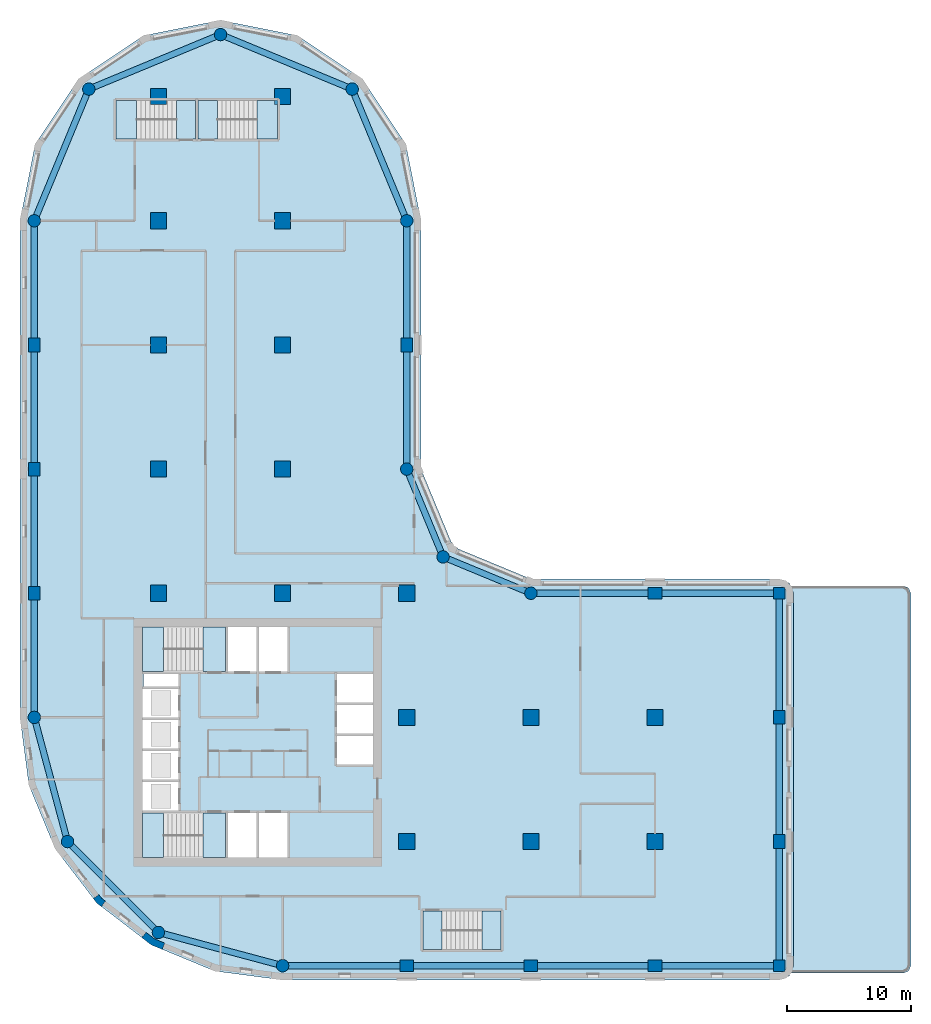
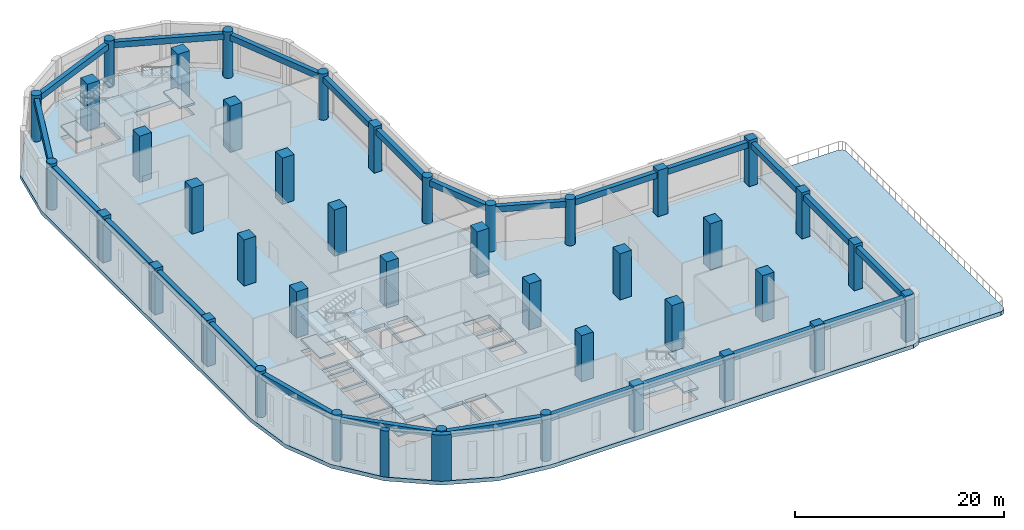
# One storey, part 1 of 9: 41 columns, 24 beams, 17 slabs, 2 walls, 5 elements without a shape of their own.
"""IFC4 building model written with IfcOpenShell, lengths in metres."""

from ifc_helpers import new_model, si_unit, direction, frame, origin, origin_2d, place, context, subcontext, project, spatial, polyline, rectangle, circle, outline, extrude, material, layer, layer_set, material_profile, profile_set, type_object, element, aggregate, save


model = new_model("IFC4")

# Units and contexts
model_context = context("Model", 3, precision=1e-05, world=origin(), true_north=direction((0.0, 1.0)))
body_context = subcontext(model_context, "Body", "Model", "MODEL_VIEW")
ifc_project = project(units=[si_unit("LENGTHUNIT", "METRE"), si_unit("AREAUNIT", "SQUARE_METRE"), si_unit("VOLUMEUNIT", "CUBIC_METRE"), si_unit("PLANEANGLEUNIT", "RADIAN"), si_unit("MASSUNIT", "GRAM", prefix="KILO")], contexts=[model_context])

# Site, building, storey
site_placement = place(None, origin())
site = spatial("IfcSite", under=ifc_project, at=site_placement, CompositionType="ELEMENT")
building_placement = place(site_placement, origin())
building = spatial("IfcBuilding", under=site, at=building_placement, Name="Qaws Garden Tower", CompositionType="ELEMENT")
storey_placement = place(building_placement, frame((0.0, 0.0, 126.300048828125)))
storey = spatial("IfcBuildingStorey", under=building, at=storey_placement, Name="L30", CompositionType="ELEMENT", Elevation=126.300048828125)

# Columns
ifc_material_1 = material(Name="Concrete C70", Category="concrete")
ifc_material_profile_1 = material_profile(ifc_material_1, rectangle(XDim=1.10009765625, YDim=0.89990234375, at=origin_2d()), Name="RC 1100x900")
ifc_profile_set_1 = profile_set([ifc_material_profile_1], Name="Concrete C70")
column_type_1 = type_object("IfcColumnType", Name="Column RC 1100x900 C70", PredefinedType="COLUMN", material=ifc_profile_set_1)
for number, where, z_axis, x_axis, name in (
    (1, (30.0, 0.0, 0.0), (0.0, 0.0, 1.0), (1.0, 0.0, 0.0), "Column L30-002"),
    (2, (40.0, 0.0, 0.0), (0.0, 0.0, 1.0), (1.0, 0.0, 0.0), "Column L30-003"),
    (3, (50.0, 0.0, 0.0), (0.0, 0.0, 1.0), (1.0, 0.0, 0.0), "Column L30-004"),
    (4, (60.0, 10.0, 0.0), (0.0, 0.0, 1.0), (0.0, 1.0, 0.0), "Column L30-006"),
    (5, (60.0, 20.0, 0.0), (0.0, 0.0, 1.0), (0.0, 1.0, 0.0), "Column L30-007"),
    (6, (50.0, 30.0, 0.0), (0.0, 0.0, 1.0), (1.0, 0.0, 0.0), "Column L30-009"),
    (7, (30.0, 50.0, 0.0), (0.0, 0.0, 1.0), (0.0, 1.0, 0.0), "Column L30-013"),
    (8, (0.0, 50.0, 0.0), (0.0, 0.0, 1.0), (0.0, 1.0, 0.0), "Column L30-019"),
    (9, (0.0, 40.0, 0.0), (0.0, 0.0, 1.0), (0.0, 1.0, 0.0), "Column L30-020"),
    (10, (0.0, 30.0, 0.0), (0.0, 0.0, 1.0), (0.0, 1.0, 0.0), "Column L30-021"),
):
    element("IfcColumn", number, at=place(storey_placement, frame(where, z_axis=z_axis, x_axis=x_axis)), inside=storey, type_object=column_type_1, Name=name, PredefinedType="COLUMN", context=body_context, shape_type="SweptSolid", body=[
        extrude(rectangle(XDim=1.10009765625, YDim=0.89990234375, at=origin_2d()), origin(), (0.0, 0.0, 1.0), 5.39990234375),
    ])
ifc_material_2 = material(Name="Concrete C70", Category="concrete")
ifc_material_profile_2 = material_profile(ifc_material_2, rectangle(XDim=1.300048828125, YDim=1.300048828125, at=origin_2d()), Name="RC 1300x1300")
ifc_profile_set_2 = profile_set([ifc_material_profile_2], Name="Concrete C70")
column_type_2 = type_object("IfcColumnType", Name="Column RC 1300x1300 C70", PredefinedType="COLUMN", material=ifc_profile_set_2)
for number, where, z_axis, x_axis, name in (
    (11, (10.0, 30.0, 0.0), (0.0, 0.0, 1.0), (1.0, 0.0, 0.0), "Column L30-025"),
    (12, (10.0, 40.0, 0.0), (0.0, 0.0, 1.0), (1.0, 0.0, 0.0), "Column L30-026"),
    (13, (10.0, 50.0, 0.0), (0.0, 0.0, 1.0), (1.0, 0.0, 0.0), "Column L30-027"),
    (14, (10.0, 60.0, 0.0), (0.0, 0.0, 1.0), (1.0, 0.0, 0.0), "Column L30-028"),
    (15, (10.0, 70.0, 0.0), (0.0, 0.0, 1.0), (1.0, 0.0, 0.0), "Column L30-029"),
    (16, (20.0, 30.0, 0.0), (0.0, 0.0, 1.0), (1.0, 0.0, 0.0), "Column L30-030"),
    (17, (20.0, 40.0, 0.0), (0.0, 0.0, 1.0), (1.0, 0.0, 0.0), "Column L30-031"),
    (18, (20.0, 50.0, 0.0), (0.0, 0.0, 1.0), (1.0, 0.0, 0.0), "Column L30-032"),
    (19, (20.0, 60.0, 0.0), (0.0, 0.0, 1.0), (1.0, 0.0, 0.0), "Column L30-033"),
    (20, (20.0, 70.0, 0.0), (0.0, 0.0, 1.0), (1.0, 0.0, 0.0), "Column L30-034"),
    (21, (30.0, 10.0, 0.0), (0.0, 0.0, 1.0), (1.0, 0.0, 0.0), "Column L30-035"),
    (22, (30.0, 20.0, 0.0), (0.0, 0.0, 1.0), (1.0, 0.0, 0.0), "Column L30-036"),
    (23, (30.0, 30.0, 0.0), (0.0, 0.0, 1.0), (1.0, 0.0, 0.0), "Column L30-037"),
    (24, (40.0, 10.0, 0.0), (0.0, 0.0, 1.0), (1.0, 0.0, 0.0), "Column L30-038"),
    (25, (40.0, 20.0, 0.0), (0.0, 0.0, 1.0), (1.0, 0.0, 0.0), "Column L30-039"),
    (26, (50.0, 10.0, 0.0), (0.0, 0.0, 1.0), (1.0, 0.0, 0.0), "Column L30-040"),
    (27, (50.0, 20.0, 0.0), (0.0, 0.0, 1.0), (1.0, 0.0, 0.0), "Column L30-041"),
):
    element("IfcColumn", number, at=place(storey_placement, frame(where, z_axis=z_axis, x_axis=x_axis)), inside=storey, type_object=column_type_2, Name=name, PredefinedType="COLUMN", context=body_context, shape_type="SweptSolid", body=[
        extrude(rectangle(XDim=1.300048828125, YDim=1.300048828125, at=origin_2d()), origin(), (0.0, 0.0, 1.0), 5.39990234375),
    ])
ifc_material_3 = material(Name="Concrete C70", Category="concrete")
ifc_material_profile_3 = material_profile(ifc_material_3, rectangle(XDim=0.949951171875, YDim=0.949951171875, at=origin_2d()), Name="RC 950x950")
ifc_profile_set_3 = profile_set([ifc_material_profile_3], Name="Concrete C70")
column_type_3 = type_object("IfcColumnType", Name="Column RC 950x950 C70", PredefinedType="COLUMN", material=ifc_profile_set_3)
for number, where, z_axis, x_axis, name in (
    (28, (60.0, 0.0, 0.0), (0.0, 0.0, 1.0), (1.0, 0.0, 0.0), "Column L30-005"),
    (29, (60.0, 30.0, 0.0), (0.0, 0.0, 1.0), (1.0, 0.0, 0.0), "Column L30-008"),
):
    element("IfcColumn", number, at=place(storey_placement, frame(where, z_axis=z_axis, x_axis=x_axis)), inside=storey, type_object=column_type_3, Name=name, PredefinedType="COLUMN", context=body_context, shape_type="SweptSolid", body=[
        extrude(rectangle(XDim=0.949951171875, YDim=0.949951171875, at=origin_2d()), origin(), (0.0, 0.0, 1.0), 5.39990234375),
    ])
ifc_material_4 = material(Name="Concrete C70", Category="concrete")
ifc_material_profile_4 = material_profile(ifc_material_4, circle(Radius=0.5, at=origin_2d()), Name="RC D1000")
ifc_profile_set_4 = profile_set([ifc_material_profile_4], Name="Concrete C70")
column_type_4 = type_object("IfcColumnType", Name="Column RC D1000 C70", PredefinedType="COLUMN", material=ifc_profile_set_4)
for number, where, z_axis, x_axis, name in (
    (30, (20.0, 0.0, 0.0), (0.0, 0.0, 1.0), (1.0, 0.0, 0.0), "Column L30-001"),
    (31, (40.0, 30.0, 0.0), (0.0, 0.0, 1.0), (1.0, 0.0, 0.0), "Column L30-010"),
    (32, (32.928955078125, 32.928955078125, 0.0), (0.0, 0.0, 1.0), (1.0, 0.0, 0.0), "Column L30-011"),
    (33, (30.0, 40.0, 0.0), (0.0, 0.0, 1.0), (1.0, 0.0, 0.0), "Column L30-012"),
    (34, (30.0, 60.0, 0.0), (0.0, 0.0, 1.0), (1.0, 0.0, 0.0), "Column L30-014"),
    (35, (25.606689453125, 70.606689453125, 0.0), (0.0, 0.0, 1.0), (1.0, 0.0, 0.0), "Column L30-015"),
    (36, (15.0, 75.0, 0.0), (0.0, 0.0, 1.0), (1.0, 0.0, 0.0), "Column L30-016"),
    (37, (4.393310546875, 70.606689453125, 0.0), (0.0, 0.0, 1.0), (1.0, 0.0, 0.0), "Column L30-017"),
    (38, (0.0, 60.0, 0.0), (0.0, 0.0, 1.0), (1.0, 0.0, 0.0), "Column L30-018"),
    (39, (0.0, 20.0, 0.0), (0.0, 0.0, 1.0), (1.0, 0.0, 0.0), "Column L30-022"),
    (40, (2.679443359375, 10.0, 0.0), (0.0, 0.0, 1.0), (1.0, 0.0, 0.0), "Column L30-023"),
    (41, (10.0, 2.679443359375, 0.0), (0.0, 0.0, 1.0), (1.0, 0.0, 0.0), "Column L30-024"),
):
    element("IfcColumn", number, at=place(storey_placement, frame(where, z_axis=z_axis, x_axis=x_axis)), inside=storey, type_object=column_type_4, Name=name, PredefinedType="COLUMN", context=body_context, shape_type="SweptSolid", body=[
        extrude(circle(Radius=0.5, at=origin_2d()), origin(), (0.0, 0.0, 1.0), 5.39990234375),
    ])

# Beams
ifc_material_5 = material(Name="Concrete C45", Category="concrete")
ifc_material_profile_5 = material_profile(ifc_material_5, rectangle(XDim=0.5, YDim=0.699951171875, at=origin_2d()), Name="RC 500x700")
ifc_profile_set_5 = profile_set([ifc_material_profile_5], Name="Concrete C45")
beam_type = type_object("IfcBeamType", Name="Spandrel beam RC 500x700 C45", PredefinedType="SPANDREL", material=ifc_profile_set_5)
for number, where, z_axis, x_axis, name in (
    (42, (20.0, 0.0, 4.72998046875), (1.0, 0.0, 0.0), (0.0, 1.0, 0.0), "Spandrel beam L30-001"),
    (43, (30.0, 0.0, 4.72998046875), (1.0, 0.0, 0.0), (0.0, 1.0, 0.0), "Spandrel beam L30-002"),
    (44, (40.0, 0.0, 4.72998046875), (1.0, 0.0, 0.0), (0.0, 1.0, 0.0), "Spandrel beam L30-003"),
    (45, (50.0, 0.0, 4.72998046875), (1.0, 0.0, 0.0), (0.0, 1.0, 0.0), "Spandrel beam L30-004"),
    (46, (60.0, 0.0, 4.72998046875), (0.0, 1.0, 0.0), (-1.0, 0.0, 0.0), "Spandrel beam L30-005"),
    (47, (60.0, 10.0, 4.72998046875), (0.0, 1.0, 0.0), (-1.0, 0.0, 0.0), "Spandrel beam L30-006"),
    (48, (60.0, 20.0, 4.72998046875), (0.0, 1.0, 0.0), (-1.0, 0.0, 0.0), "Spandrel beam L30-007"),
    (49, (60.0, 30.0, 4.72998046875), (-1.0, 0.0, 0.0), (0.0, -1.0, 0.0), "Spandrel beam L30-008"),
    (50, (50.0, 30.0, 4.72998046875), (-1.0, 0.0, 0.0), (0.0, -1.0, 0.0), "Spandrel beam L30-009"),
):
    element("IfcBeam", number, at=place(storey_placement, frame(where, z_axis=z_axis, x_axis=x_axis)), inside=storey, type_object=beam_type, Name=name, PredefinedType="SPANDREL", context=body_context, shape_type="SweptSolid", body=[
        extrude(rectangle(XDim=0.5, YDim=0.699951171875, at=origin_2d()), origin(), (0.0, 0.0, 1.0), 10.0),
    ])
for number, where, z_axis, x_axis, name in (
    (51, (40.0, 30.0, 4.72998046875), (-0.923878037141, 0.382687042488, 0.0), (-0.382687042488, -0.923878037141, 0.0), "Spandrel beam L30-010"),
    (52, (32.928955078125, 32.928955078125, 4.72998046875), (-0.382687042488, 0.923878037141, 0.0), (-0.923878037141, -0.382687042488, 0.0), "Spandrel beam L30-011"),
):
    element("IfcBeam", number, at=place(storey_placement, frame(where, z_axis=z_axis, x_axis=x_axis)), inside=storey, type_object=beam_type, Name=name, PredefinedType="SPANDREL", context=body_context, shape_type="SweptSolid", body=[
        extrude(rectangle(XDim=0.5, YDim=0.699951171875, at=origin_2d()), origin(), (0.0, 0.0, 1.0), 7.653564453125),
    ])
for number, where, z_axis, x_axis, name in (
    (53, (30.0, 40.0, 4.72998046875), (0.0, 1.0, 0.0), (-1.0, 0.0, 0.0), "Spandrel beam L30-012"),
    (54, (30.0, 50.0, 4.72998046875), (0.0, 1.0, 0.0), (-1.0, 0.0, 0.0), "Spandrel beam L30-013"),
):
    element("IfcBeam", number, at=place(storey_placement, frame(where, z_axis=z_axis, x_axis=x_axis)), inside=storey, type_object=beam_type, Name=name, PredefinedType="SPANDREL", context=body_context, shape_type="SweptSolid", body=[
        extrude(rectangle(XDim=0.5, YDim=0.699951171875, at=origin_2d()), origin(), (0.0, 0.0, 1.0), 10.0),
    ])
for number, where, z_axis, x_axis, name in (
    (55, (30.0, 60.0, 4.72998046875), (-0.382674207535, 0.923883353507, 0.0), (-0.923883353507, -0.382674207535, 0.0), "Spandrel beam L30-014"),
    (56, (25.606689453125, 70.606689453125, 4.72998046875), (-0.923883353507, 0.382674207535, 0.0), (-0.382674207535, -0.923883353507, 0.0), "Spandrel beam L30-015"),
    (57, (15.0, 75.0, 4.72998046875), (-0.923883353507, -0.382674207535, 0.0), (0.382674207535, -0.923883353507, 0.0), "Spandrel beam L30-016"),
    (58, (4.393310546875, 70.606689453125, 4.72998046875), (-0.382674207535, -0.923883353507, 0.0), (0.923883353507, -0.382674207535, 0.0), "Spandrel beam L30-017"),
):
    element("IfcBeam", number, at=place(storey_placement, frame(where, z_axis=z_axis, x_axis=x_axis)), inside=storey, type_object=beam_type, Name=name, PredefinedType="SPANDREL", context=body_context, shape_type="SweptSolid", body=[
        extrude(rectangle(XDim=0.5, YDim=0.699951171875, at=origin_2d()), origin(), (0.0, 0.0, 1.0), 11.48046875),
    ])
for number, where, z_axis, x_axis, name in (
    (59, (0.0, 60.0, 4.72998046875), (0.0, -1.0, 0.0), (1.0, 0.0, 0.0), "Spandrel beam L30-018"),
    (60, (0.0, 50.0, 4.72998046875), (0.0, -1.0, 0.0), (1.0, 0.0, 0.0), "Spandrel beam L30-019"),
    (61, (0.0, 40.0, 4.72998046875), (0.0, -1.0, 0.0), (1.0, 0.0, 0.0), "Spandrel beam L30-020"),
    (62, (0.0, 30.0, 4.72998046875), (0.0, -1.0, 0.0), (1.0, 0.0, 0.0), "Spandrel beam L30-021"),
):
    element("IfcBeam", number, at=place(storey_placement, frame(where, z_axis=z_axis, x_axis=x_axis)), inside=storey, type_object=beam_type, Name=name, PredefinedType="SPANDREL", context=body_context, shape_type="SweptSolid", body=[
        extrude(rectangle(XDim=0.5, YDim=0.699951171875, at=origin_2d()), origin(), (0.0, 0.0, 1.0), 10.0),
    ])
for number, where, z_axis, x_axis, name in (
    (63, (0.0, 20.0, 4.72998046875), (0.25881466832, -0.965926999034, 0.0), (0.965926999034, 0.25881466832, 0.0), "Spandrel beam L30-022"),
    (64, (2.679443359375, 10.0, 4.72998046875), (0.707106781187, -0.707106781187, 0.0), (0.707106781187, 0.707106781187, 0.0), "Spandrel beam L30-023"),
    (65, (10.0, 2.679443359375, 4.72998046875), (0.965926999034, -0.25881466832, 0.0), (0.25881466832, 0.965926999034, 0.0), "Spandrel beam L30-024"),
):
    element("IfcBeam", number, at=place(storey_placement, frame(where, z_axis=z_axis, x_axis=x_axis)), inside=storey, type_object=beam_type, Name=name, PredefinedType="SPANDREL", context=body_context, shape_type="SweptSolid", body=[
        extrude(rectangle(XDim=0.5, YDim=0.699951171875, at=origin_2d()), origin(), (0.0, 0.0, 1.0), 10.352783203125),
    ])

# Slab
ifc_material_6 = material(Name="Concrete C45", Category="concrete")
ifc_layer_1 = layer(ifc_material_6, 0.449951171875)
ifc_layer_set_1 = layer_set([ifc_layer_1], Name="Concrete C45")
slab_type_1 = type_object("IfcSlabType", Name="Floor slab 450 C45", PredefinedType="FLOOR", material=ifc_layer_set_1)
placement_1 = place(storey_placement, frame((0.0, 0.0, -0.449951171875)))
element("IfcSlab", 66, at=placement_1, inside=storey, type_object=slab_type_1, Name="Floor slab L30", PredefinedType="FLOOR", context=body_context, shape_type="SweptSolid", body=[
    extrude(outline(polyline([(-0.42919921875, 14.52587890625), (-1.14990234375, 20.0), (-1.14990234375, 20.0), (-1.14990234375, 31.14990234375), (-1.14990234375, 60.0), (-1.14990234375, 60.0), (0.079345703125, 66.180419921875), (3.580078125, 71.419921875), (8.819580078125, 74.920654296875), (15.0, 76.14990234375), (21.180419921875, 74.920654296875), (26.419921875, 71.419921875), (29.920654296875, 66.180419921875), (31.14990234375, 60.0), (31.14990234375, 40.0), (33.7421875, 33.7421875), (40.0, 31.14990234375), (60.0, 31.14990234375), (60.813232421875, 30.813232421875), (61.14990234375, 30.0), (61.14990234375, 0.0), (60.813232421875, -0.813232421875), (60.0, -1.14990234375), (31.14990234375, -1.14990234375), (20.0, -1.14990234375), (20.0, -1.14990234375), (14.52587890625, -0.42919921875), (9.425048828125, 1.68359375), (5.044677734375, 5.044677734375), (1.68359375, 9.425048828125), (-0.42919921875, 14.52587890625)]), holes=[polyline([(13.599609375, 12.300048828125), (8.699951171875, 12.300048828125), (8.699951171875, 8.699951171875), (13.599609375, 8.699951171875), (13.599609375, 12.300048828125)]), polyline([(17.89990234375, 12.300048828125), (15.60009765625, 12.300048828125), (15.60009765625, 8.699951171875), (17.89990234375, 8.699951171875), (17.89990234375, 12.300048828125)]), polyline([(11.60009765625, 14.800048828125), (8.699951171875, 14.800048828125), (8.699951171875, 12.5), (11.60009765625, 12.5), (11.60009765625, 14.800048828125)]), polyline([(11.60009765625, 17.300048828125), (8.699951171875, 17.300048828125), (8.699951171875, 15.0), (11.60009765625, 15.0), (11.60009765625, 17.300048828125)]), polyline([(11.60009765625, 19.800048828125), (8.699951171875, 19.800048828125), (8.699951171875, 17.5), (11.60009765625, 17.5), (11.60009765625, 19.800048828125)]), polyline([(11.60009765625, 22.300048828125), (8.699951171875, 22.300048828125), (8.699951171875, 20.0), (11.60009765625, 20.0), (11.60009765625, 22.300048828125)]), polyline([(11.60009765625, 23.5), (8.800048828125, 23.5), (8.800048828125, 22.5), (11.60009765625, 22.5), (11.60009765625, 23.5)]), polyline([(13.599609375, 27.300048828125), (8.699951171875, 27.300048828125), (8.699951171875, 23.699951171875), (13.599609375, 23.699951171875), (13.599609375, 27.300048828125)]), polyline([(11.449462890625, 69.699951171875), (6.60009765625, 69.699951171875), (6.60009765625, 66.60009765625), (11.449462890625, 66.60009765625), (11.449462890625, 69.699951171875)]), polyline([(37.60009765625, 4.39990234375), (32.8505859375, 4.39990234375), (32.8505859375, 1.300048828125), (37.60009765625, 1.300048828125), (37.60009765625, 4.39990234375)]), polyline([(20.39990234375, 12.300048828125), (18.10009765625, 12.300048828125), (18.10009765625, 8.699951171875), (20.39990234375, 8.699951171875), (20.39990234375, 12.300048828125)]), polyline([(27.300048828125, 18.5), (24.39990234375, 18.5), (24.39990234375, 16.199951171875), (27.300048828125, 16.199951171875), (27.300048828125, 18.5)]), polyline([(27.300048828125, 21.0), (24.39990234375, 21.0), (24.39990234375, 18.699951171875), (27.300048828125, 18.699951171875), (27.300048828125, 21.0)]), polyline([(27.300048828125, 23.5), (24.39990234375, 23.5), (24.39990234375, 21.199951171875), (27.300048828125, 21.199951171875), (27.300048828125, 23.5)]), polyline([(17.89990234375, 27.300048828125), (15.60009765625, 27.300048828125), (15.60009765625, 23.699951171875), (17.89990234375, 23.699951171875), (17.89990234375, 27.300048828125)]), polyline([(20.39990234375, 23.699951171875), (20.39990234375, 27.300048828125), (18.10009765625, 27.300048828125), (18.10009765625, 23.699951171875), (20.39990234375, 23.699951171875)]), polyline([(19.60009765625, 66.60009765625), (19.60009765625, 69.699951171875), (14.75048828125, 69.699951171875), (14.75048828125, 66.60009765625), (19.60009765625, 66.60009765625)])]), origin(), (0.0, 0.0, 1.0), 0.449951171875),
])

# Stair, slabs
ifc_material_7 = material(Name="Concrete C40", Category="concrete")
stair_type_1 = type_object("IfcStairType", Name="Exit stair 1500", PredefinedType="HALF_TURN_STAIR", material=ifc_material_7)
placement_2 = place(storey_placement, origin())
stair_1 = element("IfcStair", 67, at=placement_2, inside=storey, type_object=stair_type_1, Name="Stair 1", PredefinedType="HALF_TURN_STAIR")
ifc_material_8 = material(Name="Concrete C40", Category="concrete")
ifc_layer_2 = layer(ifc_material_8, 0.199951171875)
ifc_layer_set_2 = layer_set([ifc_layer_2], Name="Concrete C40")
slab_type_2 = type_object("IfcSlabType", Name="Stair landing 200", PredefinedType="LANDING", material=ifc_layer_set_2)
placement_3 = place(storey_placement, frame((0.0, 0.0, 1.14990234375)))
slab_2 = element("IfcSlab", 68, at=placement_3, type_object=slab_type_2, Name="ST1 landing 1", PredefinedType="LANDING", context=body_context, shape_type="SweptSolid", body=[
    extrude(outline(polyline([(8.699951171875, 8.699951171875), (10.39599609375, 8.699951171875), (10.39599609375, 12.300048828125), (8.699951171875, 12.300048828125), (8.699951171875, 8.699951171875)])), origin(), (0.0, 0.0, 1.0), 0.199951171875),
])
placement_4 = place(storey_placement, frame((0.0, 0.0, 2.5)))
slab_3 = element("IfcSlab", 69, at=placement_4, type_object=slab_type_2, Name="ST1 landing 2", PredefinedType="LANDING", context=body_context, shape_type="SweptSolid", body=[
    extrude(outline(polyline([(13.60009765625, 8.699951171875), (15.39990234375, 8.699951171875), (15.39990234375, 12.300048828125), (13.60009765625, 12.300048828125), (13.60009765625, 8.699951171875)])), origin(), (0.0, 0.0, 1.0), 0.199951171875),
])
placement_5 = place(storey_placement, frame((0.0, 0.0, 3.849853515625)))
slab_4 = element("IfcSlab", 70, at=placement_5, type_object=slab_type_2, Name="ST1 landing 3", PredefinedType="LANDING", context=body_context, shape_type="SweptSolid", body=[
    extrude(outline(polyline([(8.699951171875, 8.699951171875), (10.39599609375, 8.699951171875), (10.39599609375, 12.300048828125), (8.699951171875, 12.300048828125), (8.699951171875, 8.699951171875)])), origin(), (0.0, 0.0, 1.0), 0.2001953125),
])
aggregate(stair_1, [slab_2, slab_3, slab_4])

stair_2 = element("IfcStair", 71, at=placement_2, inside=storey, type_object=stair_type_1, Name="Stair 4", PredefinedType="HALF_TURN_STAIR")
slab_5 = element("IfcSlab", 72, at=placement_3, type_object=slab_type_2, Name="ST4 landing 1", PredefinedType="LANDING", context=body_context, shape_type="SweptSolid", body=[
    extrude(outline(polyline([(8.699951171875, 23.699951171875), (10.39599609375, 23.699951171875), (10.39599609375, 27.300048828125), (8.699951171875, 27.300048828125), (8.699951171875, 23.699951171875)])), origin(), (0.0, 0.0, 1.0), 0.199951171875),
])
slab_6 = element("IfcSlab", 73, at=placement_4, type_object=slab_type_2, Name="ST4 landing 2", PredefinedType="LANDING", context=body_context, shape_type="SweptSolid", body=[
    extrude(outline(polyline([(13.60009765625, 23.699951171875), (15.39990234375, 23.699951171875), (15.39990234375, 27.300048828125), (13.60009765625, 27.300048828125), (13.60009765625, 23.699951171875)])), origin(), (0.0, 0.0, 1.0), 0.199951171875),
])
slab_7 = element("IfcSlab", 74, at=placement_5, type_object=slab_type_2, Name="ST4 landing 3", PredefinedType="LANDING", context=body_context, shape_type="SweptSolid", body=[
    extrude(outline(polyline([(8.699951171875, 23.699951171875), (10.39599609375, 23.699951171875), (10.39599609375, 27.300048828125), (8.699951171875, 27.300048828125), (8.699951171875, 23.699951171875)])), origin(), (0.0, 0.0, 1.0), 0.2001953125),
])
aggregate(stair_2, [slab_5, slab_6, slab_7])

ifc_material_9 = material(Name="Concrete C40", Category="concrete")
stair_type_2 = type_object("IfcStairType", Name="Exit stair 1350", PredefinedType="HALF_TURN_STAIR", material=ifc_material_9)
stair_3 = element("IfcStair", 75, at=placement_2, inside=storey, type_object=stair_type_2, Name="Stair 5", PredefinedType="HALF_TURN_STAIR")
slab_8 = element("IfcSlab", 76, at=placement_3, type_object=slab_type_2, Name="ST5 landing 1", PredefinedType="LANDING", context=body_context, shape_type="SweptSolid", body=[
    extrude(outline(polyline([(36.053955078125, 1.300048828125), (37.60009765625, 1.300048828125), (37.60009765625, 4.39990234375), (36.053955078125, 4.39990234375), (36.053955078125, 1.300048828125)])), origin(), (0.0, 0.0, 1.0), 0.199951171875),
])
slab_9 = element("IfcSlab", 77, at=placement_4, type_object=slab_type_2, Name="ST5 landing 2", PredefinedType="LANDING", context=body_context, shape_type="SweptSolid", body=[
    extrude(outline(polyline([(31.300048828125, 1.300048828125), (32.85009765625, 1.300048828125), (32.85009765625, 4.39990234375), (31.300048828125, 4.39990234375), (31.300048828125, 1.300048828125)])), origin(), (0.0, 0.0, 1.0), 0.199951171875),
])
slab_10 = element("IfcSlab", 78, at=placement_5, type_object=slab_type_2, Name="ST5 landing 3", PredefinedType="LANDING", context=body_context, shape_type="SweptSolid", body=[
    extrude(outline(polyline([(36.053955078125, 1.300048828125), (37.60009765625, 1.300048828125), (37.60009765625, 4.39990234375), (36.053955078125, 4.39990234375), (36.053955078125, 1.300048828125)])), origin(), (0.0, 0.0, 1.0), 0.2001953125),
])
aggregate(stair_3, [slab_8, slab_9, slab_10])

stair_4 = element("IfcStair", 79, at=placement_2, inside=storey, type_object=stair_type_2, Name="Stair 6", PredefinedType="HALF_TURN_STAIR")
slab_11 = element("IfcSlab", 80, at=placement_3, type_object=slab_type_2, Name="ST6 landing 1", PredefinedType="LANDING", context=body_context, shape_type="SweptSolid", body=[
    extrude(outline(polyline([(6.60009765625, 66.60009765625), (8.24609375, 66.60009765625), (8.24609375, 69.699951171875), (6.60009765625, 69.699951171875), (6.60009765625, 66.60009765625)])), origin(), (0.0, 0.0, 1.0), 0.199951171875),
])
slab_12 = element("IfcSlab", 81, at=placement_4, type_object=slab_type_2, Name="ST6 landing 2", PredefinedType="LANDING", context=body_context, shape_type="SweptSolid", body=[
    extrude(outline(polyline([(11.449951171875, 66.60009765625), (13.0, 66.60009765625), (13.0, 69.699951171875), (11.449951171875, 69.699951171875), (11.449951171875, 66.60009765625)])), origin(), (0.0, 0.0, 1.0), 0.199951171875),
])
slab_13 = element("IfcSlab", 82, at=placement_5, type_object=slab_type_2, Name="ST6 landing 3", PredefinedType="LANDING", context=body_context, shape_type="SweptSolid", body=[
    extrude(outline(polyline([(6.60009765625, 66.60009765625), (8.24609375, 66.60009765625), (8.24609375, 69.699951171875), (6.60009765625, 69.699951171875), (6.60009765625, 66.60009765625)])), origin(), (0.0, 0.0, 1.0), 0.2001953125),
])
aggregate(stair_4, [slab_11, slab_12, slab_13])

stair_5 = element("IfcStair", 83, at=placement_2, inside=storey, type_object=stair_type_2, Name="Stair 7", PredefinedType="HALF_TURN_STAIR")
slab_14 = element("IfcSlab", 84, at=placement_3, type_object=slab_type_2, Name="ST7 landing 1", PredefinedType="LANDING", context=body_context, shape_type="SweptSolid", body=[
    extrude(outline(polyline([(17.9541015625, 66.60009765625), (19.60009765625, 66.60009765625), (19.60009765625, 69.699951171875), (17.9541015625, 69.699951171875), (17.9541015625, 66.60009765625)])), origin(), (0.0, 0.0, 1.0), 0.199951171875),
])
slab_15 = element("IfcSlab", 85, at=placement_4, type_object=slab_type_2, Name="ST7 landing 2", PredefinedType="LANDING", context=body_context, shape_type="SweptSolid", body=[
    extrude(outline(polyline([(13.199951171875, 66.60009765625), (14.75, 66.60009765625), (14.75, 69.699951171875), (13.199951171875, 69.699951171875), (13.199951171875, 66.60009765625)])), origin(), (0.0, 0.0, 1.0), 0.199951171875),
])
slab_16 = element("IfcSlab", 86, at=placement_5, type_object=slab_type_2, Name="ST7 landing 3", PredefinedType="LANDING", context=body_context, shape_type="SweptSolid", body=[
    extrude(outline(polyline([(17.9541015625, 66.60009765625), (19.60009765625, 66.60009765625), (19.60009765625, 69.699951171875), (17.9541015625, 69.699951171875), (17.9541015625, 66.60009765625)])), origin(), (0.0, 0.0, 1.0), 0.2001953125),
])
aggregate(stair_5, [slab_14, slab_15, slab_16])

# Slab
ifc_material_10 = material(Name="Concrete C45", Category="concrete")
ifc_layer_3 = layer(ifc_material_10, 0.449951171875)
ifc_layer_set_3 = layer_set([ifc_layer_3], Name="Concrete C45")
slab_type_3 = type_object("IfcSlabType", Name="Terrace slab 450 C45", PredefinedType="FLOOR", material=ifc_layer_set_3)
element("IfcSlab", 87, at=placement_1, inside=storey, type_object=slab_type_3, Name="Terrace slab L30", PredefinedType="FLOOR", context=body_context, shape_type="SweptSolid", body=[
    extrude(outline(polyline([(70.0, 30.60009765625), (70.42431640625, 30.42431640625), (70.60009765625, 30.0), (70.60009765625, 0.0), (70.42431640625, -0.42431640625), (70.0, -0.60009765625), (60.901611328125, -0.60009765625), (61.14990234375, 0.0), (61.14990234375, 30.0), (60.901611328125, 30.60009765625), (70.0, 30.60009765625)])), origin(), (0.0, 0.0, 1.0), 0.449951171875),
])

# Walls
ifc_material_11 = material(Name="Clay facing brick masonry", Category="masonry")
ifc_layer_4 = layer(ifc_material_11, 0.550048828125)
ifc_layer_set_4 = layer_set([ifc_layer_4], Name="Clay facing brick masonry")
wall_type_1 = type_object("IfcWallType", Name="Brick kink pier 550 x 600", PredefinedType="SOLIDWALL", material=ifc_layer_set_4)
element("IfcWall", 88, at=placement_2, inside=storey, type_object=wall_type_1, Name="E-L30-pier-28", PredefinedType="SOLIDWALL", context=body_context, shape_type="SweptSolid", body=[
    extrude(outline(polyline([(4.8818359375, 5.487060546875), (4.762939453125, 5.395751953125), (5.03759765625, 5.03759765625), (5.395751953125, 4.762939453125), (5.487060546875, 4.8818359375), (5.730712890625, 5.19921875), (5.429931640625, 5.429931640625), (5.19921875, 5.730712890625), (4.8818359375, 5.487060546875)])), origin(), (0.0, 0.0, 1.0), 5.39990234375),
])
ifc_material_12 = material(Name="Clay facing brick masonry", Category="masonry")
ifc_layer_5 = layer(ifc_material_12, 0.550048828125)
ifc_layer_set_5 = layer_set([ifc_layer_5], Name="Clay facing brick masonry")
wall_type_2 = type_object("IfcWallType", Name="Brick pier 550 x 1600", PredefinedType="SOLIDWALL", material=ifc_layer_set_5)
element("IfcWall", 89, at=placement_2, inside=storey, type_object=wall_type_2, Name="E-L30-pier-29", PredefinedType="SOLIDWALL", context=body_context, shape_type="SweptSolid", body=[
    extrude(outline(polyline([(8.756591796875, 2.373046875), (8.665283203125, 2.254150390625), (9.419921875, 1.675048828125), (10.299072265625, 1.310791015625), (10.3564453125, 1.449462890625), (10.509521484375, 1.819091796875), (9.697509765625, 2.1552734375), (9.0, 2.6904296875), (8.756591796875, 2.373046875)])), origin(), (0.0, 0.0, 1.0), 5.39990234375),
])

save(model, "model.ifc")
